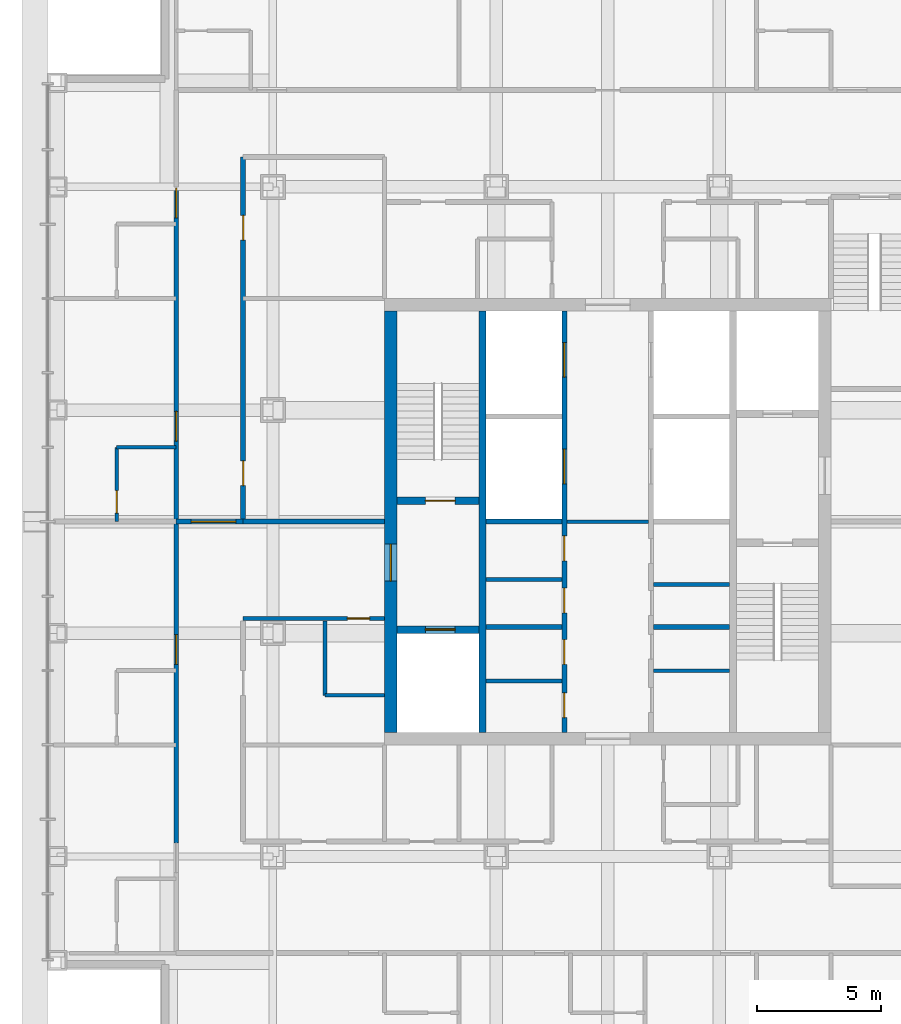
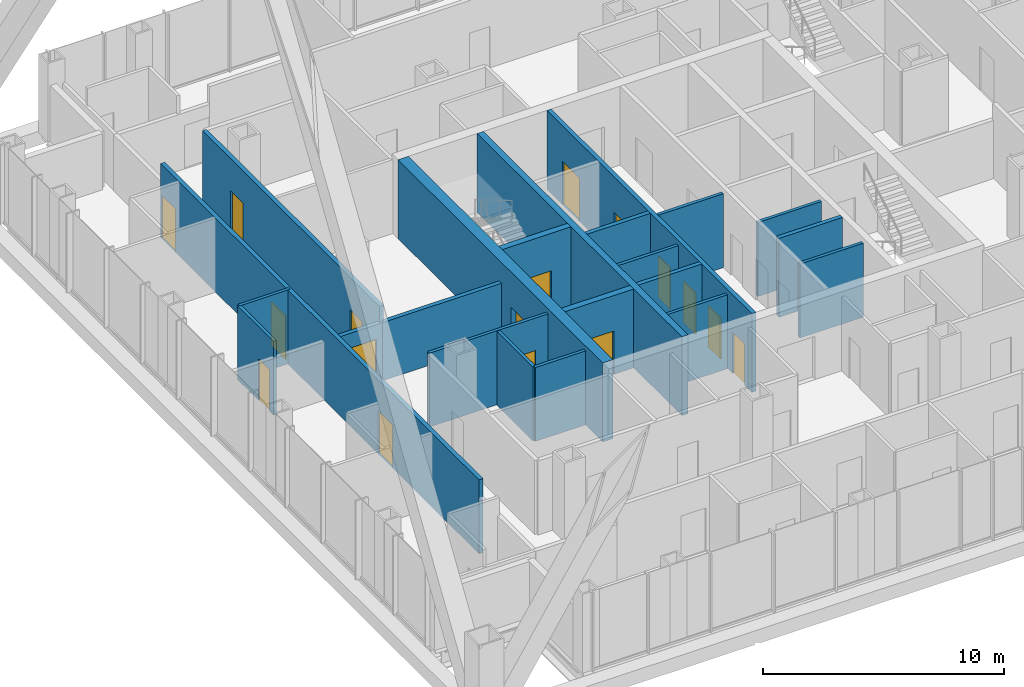
# One storey, part 12 of 16: 22 walls, 17 doors, 17 openings.
"""IFC4 building model written with IfcOpenShell, lengths in metres."""

from ifc_helpers import new_model, si_unit, direction, frame, frame_2d, origin, place, context, subcontext, project, spatial, rectangle, extrude, material, layer, layer_set, type_object, element, fill, save


model = new_model("IFC4")

# Units and contexts
model_context = context("Model", 3, precision=1e-05, world=origin(), true_north=direction((0.0, 1.0)))
body_context = subcontext(model_context, "Body", "Model", "MODEL_VIEW")
ifc_project = project(units=[si_unit("LENGTHUNIT", "METRE"), si_unit("AREAUNIT", "SQUARE_METRE"), si_unit("VOLUMEUNIT", "CUBIC_METRE"), si_unit("PLANEANGLEUNIT", "RADIAN"), si_unit("MASSUNIT", "GRAM", prefix="KILO")], contexts=[model_context])

# Site, building, storey
site_placement = place(None, origin())
site = spatial("IfcSite", under=ifc_project, at=site_placement, CompositionType="ELEMENT")
building_placement = place(site_placement, origin())
building = spatial("IfcBuilding", under=site, at=building_placement, Name="Malebo Sky Hospital", CompositionType="ELEMENT")
storey_placement = place(building_placement, frame((0.0, 0.0, 209.0)))
storey = spatial("IfcBuildingStorey", under=building, at=storey_placement, Name="L50", CompositionType="ELEMENT", Elevation=209.0)

# Wall, openings, doors
ifc_material_1 = material(Name="Concrete C80/95", Category="concrete")
ifc_layer_1 = layer(ifc_material_1, 0.199951171875)
ifc_layer_set_1 = layer_set([ifc_layer_1], Name="CORE INNER WALL 200")
wall_type_1 = type_object("IfcWallType", Name="CORE INNER WALL 200", PredefinedType="SHEAR", material=ifc_layer_set_1)
wall_1_placement = place(storey_placement, frame((58.25, 53.5, 0.0), z_axis=(0.0, 0.0, 1.0), x_axis=(0.0, 1.0, 0.0)))
wall_1 = element("IfcWall", 1, at=wall_1_placement, inside=storey, type_object=wall_type_1, Name="Core wall LW L50", PredefinedType="SHEAR", context=body_context, shape_type="SweptSolid", body=[
    extrude(rectangle(XDim=17.0, YDim=0.199951171875, at=frame_2d((8.5, 0.0))), origin(), (0.0, 0.0, 1.0), 4.0),
])
opening_1_placement = place(wall_1_placement, frame((0.60009765625, 0.0, 0.0)))
opening_1 = element("IfcOpeningElement", 2, at=opening_1_placement, cuts=wall_1, Name="Opening D17", PredefinedType="OPENING", context=body_context, shape_type="SweptSolid", body=[
    extrude(rectangle(XDim=1.0, YDim=2.10009765625, at=frame_2d((0.5, 1.050048828125))), frame((0.0, 0.10986328125, 0.0), z_axis=(0.0, -1.0, 0.0), x_axis=(1.0, 0.0, 0.0)), (0.0, 0.0, 1.0), 0.219970703125),
])
opening_2_placement = place(wall_1_placement, frame((2.75, 0.0, 0.0)))
opening_2 = element("IfcOpeningElement", 3, at=opening_2_placement, cuts=wall_1, Name="Opening D17", PredefinedType="OPENING", context=body_context, shape_type="SweptSolid", body=[
    extrude(rectangle(XDim=1.0, YDim=2.10009765625, at=frame_2d((0.5, 1.050048828125))), frame((0.0, 0.10986328125, 0.0), z_axis=(0.0, -1.0, 0.0), x_axis=(1.0, 0.0, 0.0)), (0.0, 0.0, 1.0), 0.219970703125),
])
opening_3_placement = place(wall_1_placement, frame((4.823974609375, 0.0, 0.0)))
opening_3 = element("IfcOpeningElement", 4, at=opening_3_placement, cuts=wall_1, Name="Opening D17", PredefinedType="OPENING", context=body_context, shape_type="SweptSolid", body=[
    extrude(rectangle(XDim=1.0, YDim=2.10009765625, at=frame_2d((0.5, 1.050048828125))), frame((0.0, 0.10986328125, 0.0), z_axis=(0.0, -1.0, 0.0), x_axis=(1.0, 0.0, 0.0)), (0.0, 0.0, 1.0), 0.219970703125),
])
opening_4_placement = place(wall_1_placement, frame((6.924072265625, 0.0, 0.0)))
opening_4 = element("IfcOpeningElement", 5, at=opening_4_placement, cuts=wall_1, Name="Opening D17", PredefinedType="OPENING", context=body_context, shape_type="SweptSolid", body=[
    extrude(rectangle(XDim=1.0, YDim=2.10009765625, at=frame_2d((0.5, 1.050048828125))), frame((0.0, 0.10986328125, 0.0), z_axis=(0.0, -1.0, 0.0), x_axis=(1.0, 0.0, 0.0)), (0.0, 0.0, 1.0), 0.219970703125),
])
opening_5_placement = place(wall_1_placement, frame((10.02490234375, 0.0, 0.0)))
opening_5 = element("IfcOpeningElement", 6, at=opening_5_placement, cuts=wall_1, Name="Opening LD1", PredefinedType="OPENING", context=body_context, shape_type="SweptSolid", body=[
    extrude(rectangle(XDim=1.39990234375, YDim=2.199951171875, at=frame_2d((0.699951171875, 1.10009765625))), frame((0.0, 0.10986328125, 0.0), z_axis=(0.0, -1.0, 0.0), x_axis=(1.0, 0.0, 0.0)), (0.0, 0.0, 1.0), 0.219970703125),
])
opening_6_placement = place(wall_1_placement, frame((14.324951171875, 0.0, 0.0)))
opening_6 = element("IfcOpeningElement", 7, at=opening_6_placement, cuts=wall_1, Name="Opening LD1", PredefinedType="OPENING", context=body_context, shape_type="SweptSolid", body=[
    extrude(rectangle(XDim=1.39990234375, YDim=2.199951171875, at=frame_2d((0.699951171875, 1.10009765625))), frame((0.0, 0.10986328125, 0.0), z_axis=(0.0, -1.0, 0.0), x_axis=(1.0, 0.0, 0.0)), (0.0, 0.0, 1.0), 0.219970703125),
])
ifc_material_2 = material(Name="Hardwood-faced door leaf in steel frame", Category="steel")
door_type_1 = type_object("IfcDoorType", Name="FIRE DOOR 1000", OperationType="SINGLE_SWING_LEFT", PredefinedType="DOOR", material=ifc_material_2)
door_1_placement = place(opening_1_placement, origin())
door_1 = element("IfcDoor", 8, at=door_1_placement, inside=storey, type_object=door_type_1, Name="Equipment store door", OperationType="SINGLE_SWING_RIGHT", OverallHeight=2.10009765625, OverallWidth=1.0, PredefinedType="DOOR", context=body_context, shape_type="SweptSolid", body=[
    extrude(rectangle(XDim=1.0, YDim=2.10009765625, at=frame_2d((0.5, 1.050048828125))), frame((0.0, 0.02490234375, 0.0), z_axis=(0.0, -1.0, 0.0), x_axis=(1.0, 0.0, 0.0)), (0.0, 0.0, 1.0), 0.050048828125),
])
fill(opening_1, door_1)
door_2_placement = place(opening_2_placement, origin())
door_2 = element("IfcDoor", 9, at=door_2_placement, inside=storey, type_object=door_type_1, Name="Linen store door", OperationType="SINGLE_SWING_RIGHT", OverallHeight=2.10009765625, OverallWidth=1.0, PredefinedType="DOOR", context=body_context, shape_type="SweptSolid", body=[
    extrude(rectangle(XDim=1.0, YDim=2.10009765625, at=frame_2d((0.5, 1.050048828125))), frame((0.0, 0.02490234375, 0.0), z_axis=(0.0, -1.0, 0.0), x_axis=(1.0, 0.0, 0.0)), (0.0, 0.0, 1.0), 0.050048828125),
])
fill(opening_2, door_2)
door_3_placement = place(opening_3_placement, origin())
door_3 = element("IfcDoor", 10, at=door_3_placement, inside=storey, type_object=door_type_1, Name="Supplies store door", OperationType="SINGLE_SWING_RIGHT", OverallHeight=2.10009765625, OverallWidth=1.0, PredefinedType="DOOR", context=body_context, shape_type="SweptSolid", body=[
    extrude(rectangle(XDim=1.0, YDim=2.10009765625, at=frame_2d((0.5, 1.050048828125))), frame((0.0, 0.02490234375, 0.0), z_axis=(0.0, -1.0, 0.0), x_axis=(1.0, 0.0, 0.0)), (0.0, 0.0, 1.0), 0.050048828125),
])
fill(opening_3, door_3)
door_4_placement = place(opening_4_placement, origin())
door_4 = element("IfcDoor", 11, at=door_4_placement, inside=storey, type_object=door_type_1, Name="Mattress store door", OperationType="SINGLE_SWING_RIGHT", OverallHeight=2.10009765625, OverallWidth=1.0, PredefinedType="DOOR", context=body_context, shape_type="SweptSolid", body=[
    extrude(rectangle(XDim=1.0, YDim=2.10009765625, at=frame_2d((0.5, 1.050048828125))), frame((0.0, 0.02490234375, 0.0), z_axis=(0.0, -1.0, 0.0), x_axis=(1.0, 0.0, 0.0)), (0.0, 0.0, 1.0), 0.050048828125),
])
fill(opening_4, door_4)
ifc_material_3 = material(Name="Stainless steel sliding landing door", Category="steel")
door_type_2 = type_object("IfcDoorType", Name="LIFT LANDING DOOR 1400", OperationType="SLIDING_TO_LEFT", PredefinedType="DOOR", material=ifc_material_3)
door_5_placement = place(opening_5_placement, origin())
door_5 = element("IfcDoor", 12, at=door_5_placement, inside=storey, type_object=door_type_2, Name="Lift W3 landing door", OperationType="SLIDING_TO_LEFT", OverallHeight=2.199951171875, OverallWidth=1.39990234375, PredefinedType="DOOR", context=body_context, shape_type="SweptSolid", body=[
    extrude(rectangle(XDim=1.39990234375, YDim=2.199951171875, at=frame_2d((0.699951171875, 1.10009765625))), frame((0.0, 0.02490234375, 0.0), z_axis=(0.0, -1.0, 0.0), x_axis=(1.0, 0.0, 0.0)), (0.0, 0.0, 1.0), 0.050048828125),
])
fill(opening_5, door_5)
door_6_placement = place(opening_6_placement, origin())
door_6 = element("IfcDoor", 13, at=door_6_placement, inside=storey, type_object=door_type_2, Name="Lift W4 landing door", OperationType="SLIDING_TO_LEFT", OverallHeight=2.199951171875, OverallWidth=1.39990234375, PredefinedType="DOOR", context=body_context, shape_type="SweptSolid", body=[
    extrude(rectangle(XDim=1.39990234375, YDim=2.199951171875, at=frame_2d((0.699951171875, 1.10009765625))), frame((0.0, 0.02490234375, 0.0), z_axis=(0.0, -1.0, 0.0), x_axis=(1.0, 0.0, 0.0)), (0.0, 0.0, 1.0), 0.050048828125),
])
fill(opening_6, door_6)

# Walls
for number, where, z_axis, x_axis, name in (
    (14, (55.10009765625, 57.75, 0.0), (0.0, 0.0, 1.0), (1.0, 0.0, 0.0), "Core wall SW0 L50"),
    (15, (61.85009765625, 57.75, 0.0), (0.0, 0.0, 1.0), (1.0, 0.0, 0.0), "Core wall SE0 L50"),
    (16, (55.10009765625, 62.0, 0.0), (0.0, 0.0, 1.0), (1.0, 0.0, 0.0), "Core wall SW1 L50"),
):
    element("IfcWall", number, at=place(storey_placement, frame(where, z_axis=z_axis, x_axis=x_axis)), inside=storey, type_object=wall_type_1, Name=name, PredefinedType="SHEAR", context=body_context, shape_type="SweptSolid", body=[
        extrude(rectangle(XDim=3.0498046875, YDim=0.199951171875, at=frame_2d((1.52490234375, 0.0))), origin(), (0.0, 0.0, 1.0), 4.0),
    ])
ifc_layer_2 = layer(ifc_material_1, 0.300048828125)
ifc_layer_set_2 = layer_set([ifc_layer_2], Name="CORE INNER WALL 300")
wall_type_2 = type_object("IfcWallType", Name="CORE INNER WALL 300", PredefinedType="SHEAR", material=ifc_layer_set_2)
wall_2_placement = place(storey_placement, frame((54.949951171875, 53.5, 0.0), z_axis=(0.0, 0.0, 1.0), x_axis=(0.0, 1.0, 0.0)))
element("IfcWall", 17, at=wall_2_placement, inside=storey, type_object=wall_type_2, Name="Core wall XW L50", PredefinedType="SHEAR", context=body_context, shape_type="SweptSolid", body=[
    extrude(rectangle(XDim=17.0, YDim=0.300048828125, at=frame_2d((8.5, 0.0))), origin(), (0.0, 0.0, 1.0), 4.0),
])

# Wall, opening, door
wall_3_placement = place(storey_placement, frame((51.5, 62.85009765625, 0.0), z_axis=(0.0, 0.0, 1.0), x_axis=(1.0, 0.0, 0.0)))
wall_3 = element("IfcWall", 18, at=wall_3_placement, inside=storey, type_object=wall_type_2, Name="Core wall W1 L50", PredefinedType="SHEAR", context=body_context, shape_type="SweptSolid", body=[
    extrude(rectangle(XDim=3.300048828125, YDim=0.300048828125, at=frame_2d((1.64990234375, 0.0))), origin(), (0.0, 0.0, 1.0), 4.0),
])
opening_7_placement = place(wall_3_placement, frame((1.14990234375, 0.0, 0.0)))
opening_7 = element("IfcOpeningElement", 19, at=opening_7_placement, cuts=wall_3, Name="Opening D08", PredefinedType="OPENING", context=body_context, shape_type="SweptSolid", body=[
    extrude(rectangle(XDim=1.199951171875, YDim=2.10009765625, at=frame_2d((0.60009765625, 1.050048828125))), frame((0.0, 0.159912109375, 0.0), z_axis=(0.0, -1.0, 0.0), x_axis=(1.0, 0.0, 0.0)), (0.0, 0.0, 1.0), 0.320068359375),
])
door_type_3 = type_object("IfcDoorType", Name="STAIR DOOR 1200", OperationType="SINGLE_SWING_LEFT", PredefinedType="DOOR", material=ifc_material_2)
door_7_placement = place(opening_7_placement, origin())
door_7 = element("IfcDoor", 20, at=door_7_placement, inside=storey, type_object=door_type_3, Name="Stair S1 door", OperationType="SINGLE_SWING_RIGHT", OverallHeight=2.10009765625, OverallWidth=1.199951171875, PredefinedType="DOOR", context=body_context, shape_type="SweptSolid", body=[
    extrude(rectangle(XDim=1.199951171875, YDim=2.10009765625, at=frame_2d((0.60009765625, 1.050048828125))), frame((0.0, 0.02490234375, 0.0), z_axis=(0.0, -1.0, 0.0), x_axis=(1.0, 0.0, 0.0)), (0.0, 0.0, 1.0), 0.050048828125),
])
fill(opening_7, door_7)

wall_4_placement = place(storey_placement, frame((51.5, 57.64990234375, 0.0), z_axis=(0.0, 0.0, 1.0), x_axis=(1.0, 0.0, 0.0)))
wall_4 = element("IfcWall", 21, at=wall_4_placement, inside=storey, type_object=wall_type_2, Name="Core wall W2 L50", PredefinedType="SHEAR", context=body_context, shape_type="SweptSolid", body=[
    extrude(rectangle(XDim=3.300048828125, YDim=0.300048828125, at=frame_2d((1.64990234375, 0.0))), origin(), (0.0, 0.0, 1.0), 4.0),
])
opening_8_placement = place(wall_4_placement, frame((1.14990234375, 0.0, 0.0)))
opening_8 = element("IfcOpeningElement", 22, at=opening_8_placement, cuts=wall_4, Name="Opening LD2", PredefinedType="OPENING", context=body_context, shape_type="SweptSolid", body=[
    extrude(rectangle(XDim=1.199951171875, YDim=2.199951171875, at=frame_2d((0.60009765625, 1.10009765625))), frame((0.0, 0.159912109375, 0.0), z_axis=(0.0, -1.0, 0.0), x_axis=(1.0, 0.0, 0.0)), (0.0, 0.0, 1.0), 0.320068359375),
])
door_type_4 = type_object("IfcDoorType", Name="FIRE-FIGHTING LIFT LANDING DOOR 1200", OperationType="SLIDING_TO_LEFT", PredefinedType="DOOR", material=ifc_material_3)
door_8_placement = place(opening_8_placement, origin())
door_8 = element("IfcDoor", 23, at=door_8_placement, inside=storey, type_object=door_type_4, Name="Lift FL1 landing door", OperationType="SLIDING_TO_LEFT", OverallHeight=2.199951171875, OverallWidth=1.199951171875, PredefinedType="DOOR", context=body_context, shape_type="SweptSolid", body=[
    extrude(rectangle(XDim=1.199951171875, YDim=2.199951171875, at=frame_2d((0.60009765625, 1.10009765625))), frame((0.0, 0.02490234375, 0.0), z_axis=(0.0, -1.0, 0.0), x_axis=(1.0, 0.0, 0.0)), (0.0, 0.0, 1.0), 0.050048828125),
])
fill(opening_8, door_8)

ifc_layer_3 = layer(ifc_material_1, 0.5)
ifc_layer_set_3 = layer_set([ifc_layer_3], Name="CORE WALL 500")
wall_type_3 = type_object("IfcWallType", Name="CORE WALL 500", PredefinedType="SHEAR", material=ifc_layer_set_3)
wall_5_placement = place(storey_placement, frame((51.25, 53.5, 0.0), z_axis=(0.0, 0.0, 1.0), x_axis=(0.0, 1.0, 0.0)))
wall_5 = element("IfcWall", 24, at=wall_5_placement, inside=storey, type_object=wall_type_3, Name="Core wall W L50", PredefinedType="SHEAR", context=body_context, shape_type="SweptSolid", body=[
    extrude(rectangle(XDim=17.0, YDim=0.5, at=frame_2d((8.5, 0.0))), origin(), (0.0, 0.0, 1.0), 4.0),
])
opening_9_placement = place(wall_5_placement, frame((6.10009765625, 0.0, 0.0)))
opening_9 = element("IfcOpeningElement", 25, at=opening_9_placement, cuts=wall_5, Name="Opening D07", PredefinedType="OPENING", context=body_context, shape_type="SweptSolid", body=[
    extrude(rectangle(XDim=1.5, YDim=2.199951171875, at=frame_2d((0.75, 1.10009765625))), frame((0.0, 0.260009765625, 0.0), z_axis=(0.0, -1.0, 0.0), x_axis=(1.0, 0.0, 0.0)), (0.0, 0.0, 1.0), 0.52001953125),
])
door_type_5 = type_object("IfcDoorType", Name="FIRE-FIGHTING LOBBY DOOR PAIR 1500", OperationType="DOUBLE_DOOR_SINGLE_SWING", PredefinedType="DOOR", material=ifc_material_2)
door_9_placement = place(opening_9_placement, origin())
door_9 = element("IfcDoor", 26, at=door_9_placement, inside=storey, type_object=door_type_5, Name="Fire-fighting lobby door west", OperationType="DOUBLE_DOOR_SINGLE_SWING", OverallHeight=2.199951171875, OverallWidth=1.5, PredefinedType="DOOR", context=body_context, shape_type="SweptSolid", body=[
    extrude(rectangle(XDim=1.5, YDim=2.199951171875, at=frame_2d((0.75, 1.10009765625))), frame((0.0, 0.02490234375, 0.0), z_axis=(0.0, -1.0, 0.0), x_axis=(1.0, 0.0, 0.0)), (0.0, 0.0, 1.0), 0.050048828125),
])
fill(opening_9, door_9)

# Wall, openings, doors
ifc_material_4 = material(Name="Gypsum board on steel studs", Category="steel")
ifc_layer_4 = layer(ifc_material_4, 0.199951171875)
ifc_layer_set_4 = layer_set([ifc_layer_4], Name="CORRIDOR WALL 200")
wall_type_4 = type_object("IfcWallType", Name="CORRIDOR WALL 200", PredefinedType="PARTITIONING", material=ifc_layer_set_4)
wall_6_placement = place(storey_placement, frame((42.60009765625, 49.050048828125, 0.0), z_axis=(0.0, 0.0, 1.0), x_axis=(0.0, 1.0, 0.0)))
wall_6 = element("IfcWall", 27, at=wall_6_placement, inside=storey, type_object=wall_type_4, Name="Corridor Wall 200 WCO", PredefinedType="PARTITIONING", context=body_context, shape_type="SweptSolid", body=[
    extrude(rectangle(XDim=26.449951171875, YDim=0.199951171875, at=frame_2d((13.22509765625, 0.0))), origin(), (0.0, 0.0, 1.0), 3.75),
])
opening_10_placement = place(wall_6_placement, frame((7.199951171875, 0.0, 0.0)))
opening_10 = element("IfcOpeningElement", 28, at=opening_10_placement, cuts=wall_6, Name="Opening D01", PredefinedType="OPENING", context=body_context, shape_type="SweptSolid", body=[
    extrude(rectangle(XDim=1.199951171875, YDim=2.199951171875, at=frame_2d((0.60009765625, 1.10009765625))), frame((0.0, 0.10986328125, 0.0), z_axis=(0.0, -1.0, 0.0), x_axis=(1.0, 0.0, 0.0)), (0.0, 0.0, 1.0), 0.219970703125),
])
opening_11_placement = place(wall_6_placement, frame((16.199951171875, 0.0, 0.0)))
opening_11 = element("IfcOpeningElement", 29, at=opening_11_placement, cuts=wall_6, Name="Opening D01", PredefinedType="OPENING", context=body_context, shape_type="SweptSolid", body=[
    extrude(rectangle(XDim=1.199951171875, YDim=2.199951171875, at=frame_2d((0.60009765625, 1.10009765625))), frame((0.0, 0.10986328125, 0.0), z_axis=(0.0, -1.0, 0.0), x_axis=(1.0, 0.0, 0.0)), (0.0, 0.0, 1.0), 0.219970703125),
])
opening_12_placement = place(wall_6_placement, frame((25.199951171875, 0.0, 0.0)))
opening_12 = element("IfcOpeningElement", 30, at=opening_12_placement, cuts=wall_6, Name="Opening D01", PredefinedType="OPENING", context=body_context, shape_type="SweptSolid", body=[
    extrude(rectangle(XDim=1.199951171875, YDim=2.199951171875, at=frame_2d((0.60009765625, 1.10009765625))), frame((0.0, 0.10986328125, 0.0), z_axis=(0.0, -1.0, 0.0), x_axis=(1.0, 0.0, 0.0)), (0.0, 0.0, 1.0), 0.219970703125),
])
door_type_6 = type_object("IfcDoorType", Name="BED DOOR 1200", OperationType="SINGLE_SWING_LEFT", PredefinedType="DOOR", material=ifc_material_2)
door_10_placement = place(opening_10_placement, origin())
door_10 = element("IfcDoor", 31, at=door_10_placement, inside=storey, type_object=door_type_6, Name="Birthing room door", OperationType="SINGLE_SWING_LEFT", OverallHeight=2.199951171875, OverallWidth=1.199951171875, PredefinedType="DOOR", context=body_context, shape_type="SweptSolid", body=[
    extrude(rectangle(XDim=1.199951171875, YDim=2.199951171875, at=frame_2d((0.60009765625, 1.10009765625))), frame((0.0, 0.02490234375, 0.0), z_axis=(0.0, -1.0, 0.0), x_axis=(1.0, 0.0, 0.0)), (0.0, 0.0, 1.0), 0.050048828125),
])
fill(opening_10, door_10)
door_11_placement = place(opening_11_placement, origin())
door_11 = element("IfcDoor", 32, at=door_11_placement, inside=storey, type_object=door_type_6, Name="Birthing room door", OperationType="SINGLE_SWING_LEFT", OverallHeight=2.199951171875, OverallWidth=1.199951171875, PredefinedType="DOOR", context=body_context, shape_type="SweptSolid", body=[
    extrude(rectangle(XDim=1.199951171875, YDim=2.199951171875, at=frame_2d((0.60009765625, 1.10009765625))), frame((0.0, 0.02490234375, 0.0), z_axis=(0.0, -1.0, 0.0), x_axis=(1.0, 0.0, 0.0)), (0.0, 0.0, 1.0), 0.050048828125),
])
fill(opening_11, door_11)
door_12_placement = place(opening_12_placement, origin())
door_12 = element("IfcDoor", 33, at=door_12_placement, inside=storey, type_object=door_type_6, Name="Birthing room door", OperationType="SINGLE_SWING_LEFT", OverallHeight=2.199951171875, OverallWidth=1.199951171875, PredefinedType="DOOR", context=body_context, shape_type="SweptSolid", body=[
    extrude(rectangle(XDim=1.199951171875, YDim=2.199951171875, at=frame_2d((0.60009765625, 1.10009765625))), frame((0.0, 0.02490234375, 0.0), z_axis=(0.0, -1.0, 0.0), x_axis=(1.0, 0.0, 0.0)), (0.0, 0.0, 1.0), 0.050048828125),
])
fill(opening_12, door_12)

wall_7_placement = place(storey_placement, frame((45.300048828125, 62.0, 0.0), z_axis=(0.0, 0.0, 1.0), x_axis=(0.0, 1.0, 0.0)))
wall_7 = element("IfcWall", 34, at=wall_7_placement, inside=storey, type_object=wall_type_4, Name="Corridor Wall 200 WCI2", PredefinedType="PARTITIONING", context=body_context, shape_type="SweptSolid", body=[
    extrude(rectangle(XDim=14.699951171875, YDim=0.199951171875, at=frame_2d((7.35009765625, 0.0))), origin(), (0.0, 0.0, 1.0), 3.75),
])
opening_13_placement = place(wall_7_placement, frame((1.449951171875, 0.0, 0.0)))
opening_13 = element("IfcOpeningElement", 35, at=opening_13_placement, cuts=wall_7, Name="Opening D03", PredefinedType="OPENING", context=body_context, shape_type="SweptSolid", body=[
    extrude(rectangle(XDim=1.0, YDim=2.10009765625, at=frame_2d((0.5, 1.050048828125))), frame((0.0, 0.10986328125, 0.0), z_axis=(0.0, -1.0, 0.0), x_axis=(1.0, 0.0, 0.0)), (0.0, 0.0, 1.0), 0.219970703125),
])
opening_14_placement = place(wall_7_placement, frame((11.35009765625, 0.0, 0.0)))
opening_14 = element("IfcOpeningElement", 36, at=opening_14_placement, cuts=wall_7, Name="Opening D03", PredefinedType="OPENING", context=body_context, shape_type="SweptSolid", body=[
    extrude(rectangle(XDim=1.0, YDim=2.10009765625, at=frame_2d((0.5, 1.050048828125))), frame((0.0, 0.10986328125, 0.0), z_axis=(0.0, -1.0, 0.0), x_axis=(1.0, 0.0, 0.0)), (0.0, 0.0, 1.0), 0.219970703125),
])
door_type_7 = type_object("IfcDoorType", Name="ROOM DOOR 1000", OperationType="SINGLE_SWING_LEFT", PredefinedType="DOOR", material=ifc_material_2)
door_13_placement = place(opening_13_placement, origin())
door_13 = element("IfcDoor", 37, at=door_13_placement, inside=storey, type_object=door_type_7, Name="Nurse station door", OperationType="SINGLE_SWING_LEFT", OverallHeight=2.10009765625, OverallWidth=1.0, PredefinedType="DOOR", context=body_context, shape_type="SweptSolid", body=[
    extrude(rectangle(XDim=1.0, YDim=2.10009765625, at=frame_2d((0.5, 1.050048828125))), frame((0.0, 0.02490234375, 0.0), z_axis=(0.0, -1.0, 0.0), x_axis=(1.0, 0.0, 0.0)), (0.0, 0.0, 1.0), 0.050048828125),
])
fill(opening_13, door_13)
door_14_placement = place(opening_14_placement, origin())
door_14 = element("IfcDoor", 38, at=door_14_placement, inside=storey, type_object=door_type_7, Name="Midwives' base door", OperationType="SINGLE_SWING_RIGHT", OverallHeight=2.10009765625, OverallWidth=1.0, PredefinedType="DOOR", context=body_context, shape_type="SweptSolid", body=[
    extrude(rectangle(XDim=1.0, YDim=2.10009765625, at=frame_2d((0.5, 1.050048828125))), frame((0.0, 0.02490234375, 0.0), z_axis=(0.0, -1.0, 0.0), x_axis=(1.0, 0.0, 0.0)), (0.0, 0.0, 1.0), 0.050048828125),
])
fill(opening_14, door_14)

# Wall, opening, door
ifc_layer_5 = layer(ifc_material_4, 0.14990234375)
ifc_layer_set_5 = layer_set([ifc_layer_5], Name="PARTITION 150")
wall_type_5 = type_object("IfcWallType", Name="PARTITION 150", PredefinedType="PARTITIONING", material=ifc_layer_set_5)
wall_8_placement = place(storey_placement, frame((40.199951171875, 62.0, 0.0), z_axis=(0.0, 0.0, 1.0), x_axis=(0.0, 1.0, 0.0)))
wall_8 = element("IfcWall", 39, at=wall_8_placement, inside=storey, type_object=wall_type_5, Name="Partition 150 WE2F", PredefinedType="PARTITIONING", context=body_context, shape_type="SweptSolid", body=[
    extrude(rectangle(XDim=3.0, YDim=0.14990234375, at=frame_2d((1.5, 0.0))), origin(), (0.0, 0.0, 1.0), 3.75),
])
opening_15_placement = place(wall_8_placement, frame((0.35009765625, 0.0, 0.0)))
opening_15 = element("IfcOpeningElement", 40, at=opening_15_placement, cuts=wall_8, Name="Opening D02", PredefinedType="OPENING", context=body_context, shape_type="SweptSolid", body=[
    extrude(rectangle(XDim=0.89990234375, YDim=2.10009765625, at=frame_2d((0.449951171875, 1.050048828125))), frame((0.0, 0.0849609375, 0.0), z_axis=(0.0, -1.0, 0.0), x_axis=(1.0, 0.0, 0.0)), (0.0, 0.0, 1.0), 0.169921875),
])
door_type_8 = type_object("IfcDoorType", Name="EN-SUITE DOOR 900", OperationType="SINGLE_SWING_LEFT", PredefinedType="DOOR", material=ifc_material_2)
door_15_placement = place(opening_15_placement, origin())
door_15 = element("IfcDoor", 41, at=door_15_placement, inside=storey, type_object=door_type_8, Name="En-suite door", OperationType="SINGLE_SWING_LEFT", OverallHeight=2.10009765625, OverallWidth=0.89990234375, PredefinedType="DOOR", context=body_context, shape_type="SweptSolid", body=[
    extrude(rectangle(XDim=0.89990234375, YDim=2.10009765625, at=frame_2d((0.449951171875, 1.050048828125))), frame((0.0, 0.02490234375, 0.0), z_axis=(0.0, -1.0, 0.0), x_axis=(1.0, 0.0, 0.0)), (0.0, 0.0, 1.0), 0.050048828125),
])
fill(opening_15, door_15)

# Wall
wall_9_placement = place(storey_placement, frame((42.60009765625, 65.0, 0.0), z_axis=(0.0, 0.0, 1.0), x_axis=(-1.0, 0.0, 0.0)))
element("IfcWall", 42, at=wall_9_placement, inside=storey, type_object=wall_type_5, Name="Partition 150 WE2S", PredefinedType="PARTITIONING", context=body_context, shape_type="SweptSolid", body=[
    extrude(rectangle(XDim=2.400146484375, YDim=0.14990234375, at=frame_2d((1.2001953125, 0.0))), origin(), (0.0, 0.0, 1.0), 3.75),
])

# Wall, opening, door
wall_10_placement = place(storey_placement, frame((51.0, 58.10009765625, 0.0), z_axis=(0.0, 0.0, 1.0), x_axis=(-1.0, 0.0, 0.0)))
wall_10 = element("IfcWall", 43, at=wall_10_placement, inside=storey, type_object=wall_type_5, Name="Partition 150 WSPA", PredefinedType="PARTITIONING", context=body_context, shape_type="SweptSolid", body=[
    extrude(rectangle(XDim=5.699951171875, YDim=0.14990234375, at=frame_2d((2.85009765625, 0.0))), origin(), (0.0, 0.0, 1.0), 3.75),
])
opening_16_placement = place(wall_10_placement, frame((0.60009765625, 0.0, 0.0)))
opening_16 = element("IfcOpeningElement", 44, at=opening_16_placement, cuts=wall_10, Name="Opening D04", PredefinedType="OPENING", context=body_context, shape_type="SweptSolid", body=[
    extrude(rectangle(XDim=0.89990234375, YDim=2.10009765625, at=frame_2d((0.449951171875, 1.050048828125))), frame((0.0, 0.0849609375, 0.0), z_axis=(0.0, -1.0, 0.0), x_axis=(1.0, 0.0, 0.0)), (0.0, 0.0, 1.0), 0.169921875),
])
door_type_9 = type_object("IfcDoorType", Name="ROOM DOOR 900", OperationType="SINGLE_SWING_LEFT", PredefinedType="DOOR", material=ifc_material_2)
door_16_placement = place(opening_16_placement, origin())
door_16 = element("IfcDoor", 45, at=door_16_placement, inside=storey, type_object=door_type_9, Name="Cleaner's room door", OperationType="SINGLE_SWING_LEFT", OverallHeight=2.10009765625, OverallWidth=0.89990234375, PredefinedType="DOOR", context=body_context, shape_type="SweptSolid", body=[
    extrude(rectangle(XDim=0.89990234375, YDim=2.10009765625, at=frame_2d((0.449951171875, 1.050048828125))), frame((0.0, 0.02490234375, 0.0), z_axis=(0.0, -1.0, 0.0), x_axis=(1.0, 0.0, 0.0)), (0.0, 0.0, 1.0), 0.050048828125),
])
fill(opening_16, door_16)

# Walls
wall_11_placement = place(storey_placement, frame((48.60009765625, 55.0, 0.0), z_axis=(0.0, 0.0, 1.0), x_axis=(0.0, 1.0, 0.0)))
element("IfcWall", 46, at=wall_11_placement, inside=storey, type_object=wall_type_5, Name="Partition 150 WSX0", PredefinedType="PARTITIONING", context=body_context, shape_type="SweptSolid", body=[
    extrude(rectangle(XDim=3.0, YDim=0.14990234375, at=frame_2d((1.5, 0.0))), origin(), (0.0, 0.0, 1.0), 3.75),
])
wall_12_placement = place(storey_placement, frame((51.0, 55.0, 0.0), z_axis=(0.0, 0.0, 1.0), x_axis=(-1.0, 0.0, 0.0)))
element("IfcWall", 47, at=wall_12_placement, inside=storey, type_object=wall_type_5, Name="Partition 150 WSY0", PredefinedType="PARTITIONING", context=body_context, shape_type="SweptSolid", body=[
    extrude(rectangle(XDim=2.39990234375, YDim=0.14990234375, at=frame_2d((1.199951171875, 0.0))), origin(), (0.0, 0.0, 1.0), 3.75),
])
for number, where, z_axis, x_axis, name in (
    (48, (55.10009765625, 55.574951171875, 0.0), (0.0, 0.0, 1.0), (1.0, 0.0, 0.0), "Partition 150 SHW1"),
    (49, (61.85009765625, 55.989990234375, 0.0), (0.0, 0.0, 1.0), (1.0, 0.0, 0.0), "Partition 150 SHE1"),
    (50, (55.10009765625, 59.673095703125, 0.0), (0.0, 0.0, 1.0), (1.0, 0.0, 0.0), "Partition 150 SHW2"),
    (51, (61.85009765625, 59.469970703125, 0.0), (0.0, 0.0, 1.0), (1.0, 0.0, 0.0), "Partition 150 SHE2"),
):
    element("IfcWall", number, at=place(storey_placement, frame(where, z_axis=z_axis, x_axis=x_axis)), inside=storey, type_object=wall_type_5, Name=name, PredefinedType="PARTITIONING", context=body_context, shape_type="SweptSolid", body=[
        extrude(rectangle(XDim=3.0498046875, YDim=0.14990234375, at=frame_2d((1.52490234375, 0.0))), origin(), (0.0, 0.0, 1.0), 3.75),
    ])
wall_13_placement = place(storey_placement, frame((58.35009765625, 62.0, 0.0), z_axis=(0.0, 0.0, 1.0), x_axis=(1.0, 0.0, 0.0)))
element("IfcWall", 52, at=wall_13_placement, inside=storey, type_object=wall_type_5, Name="Partition 150 LBS", PredefinedType="PARTITIONING", context=body_context, shape_type="SweptSolid", body=[
    extrude(rectangle(XDim=3.2998046875, YDim=0.14990234375, at=frame_2d((1.64990234375, 0.0))), origin(), (0.0, 0.0, 1.0), 3.75),
])
ifc_material_5 = material(Name="Concrete blockwork", Category="masonry")
ifc_layer_6 = layer(ifc_material_5, 0.199951171875)
ifc_layer_set_6 = layer_set([ifc_layer_6], Name="SMOKE BARRIER WALL 200")
wall_type_6 = type_object("IfcWallType", Name="SMOKE BARRIER WALL 200", PredefinedType="SOLIDWALL", material=ifc_layer_set_6)
wall_14_placement = place(storey_placement, frame((51.0, 62.0, 0.0), z_axis=(0.0, 0.0, 1.0), x_axis=(-1.0, 0.0, 0.0)))
element("IfcWall", 53, at=wall_14_placement, inside=storey, type_object=wall_type_6, Name="Smoke Barrier Wall 200 WSPB", PredefinedType="SOLIDWALL", context=body_context, shape_type="SweptSolid", body=[
    extrude(rectangle(XDim=5.699951171875, YDim=0.199951171875, at=frame_2d((2.85009765625, 0.0))), origin(), (0.0, 0.0, 1.0), 2.949951171875),
])

# Wall, opening, door
wall_15_placement = place(storey_placement, frame((45.300048828125, 62.0, 0.0), z_axis=(0.0, 0.0, 1.0), x_axis=(-1.0, 0.0, 0.0)))
wall_15 = element("IfcWall", 54, at=wall_15_placement, inside=storey, type_object=wall_type_6, Name="Smoke Barrier Wall 200 WSB", PredefinedType="SOLIDWALL", context=body_context, shape_type="SweptSolid", body=[
    extrude(rectangle(XDim=2.699951171875, YDim=0.199951171875, at=frame_2d((1.35009765625, 0.0))), origin(), (0.0, 0.0, 1.0), 2.949951171875),
])
opening_17_placement = place(wall_15_placement, frame((0.300048828125, 0.0, 0.0)))
opening_17 = element("IfcOpeningElement", 55, at=opening_17_placement, cuts=wall_15, Name="Opening D05", PredefinedType="OPENING", context=body_context, shape_type="SweptSolid", body=[
    extrude(rectangle(XDim=1.800048828125, YDim=2.199951171875, at=frame_2d((0.89990234375, 1.10009765625))), frame((0.0, 0.10986328125, 0.0), z_axis=(0.0, -1.0, 0.0), x_axis=(1.0, 0.0, 0.0)), (0.0, 0.0, 1.0), 0.219970703125),
])
door_type_10 = type_object("IfcDoorType", Name="SMOKE DOOR PAIR 1800", OperationType="DOUBLE_DOOR_DOUBLE_SWING", PredefinedType="DOOR", material=ifc_material_2)
door_17_placement = place(opening_17_placement, origin())
door_17 = element("IfcDoor", 56, at=door_17_placement, inside=storey, type_object=door_type_10, Name="Smoke compartment door pair", OperationType="DOUBLE_DOOR_DOUBLE_SWING", OverallHeight=2.199951171875, OverallWidth=1.800048828125, PredefinedType="DOOR", context=body_context, shape_type="SweptSolid", body=[
    extrude(rectangle(XDim=1.800048828125, YDim=2.199951171875, at=frame_2d((0.89990234375, 1.10009765625))), frame((0.0, 0.02490234375, 0.0), z_axis=(0.0, -1.0, 0.0), x_axis=(1.0, 0.0, 0.0)), (0.0, 0.0, 1.0), 0.050048828125),
])
fill(opening_17, door_17)

save(model, "model.ifc")
